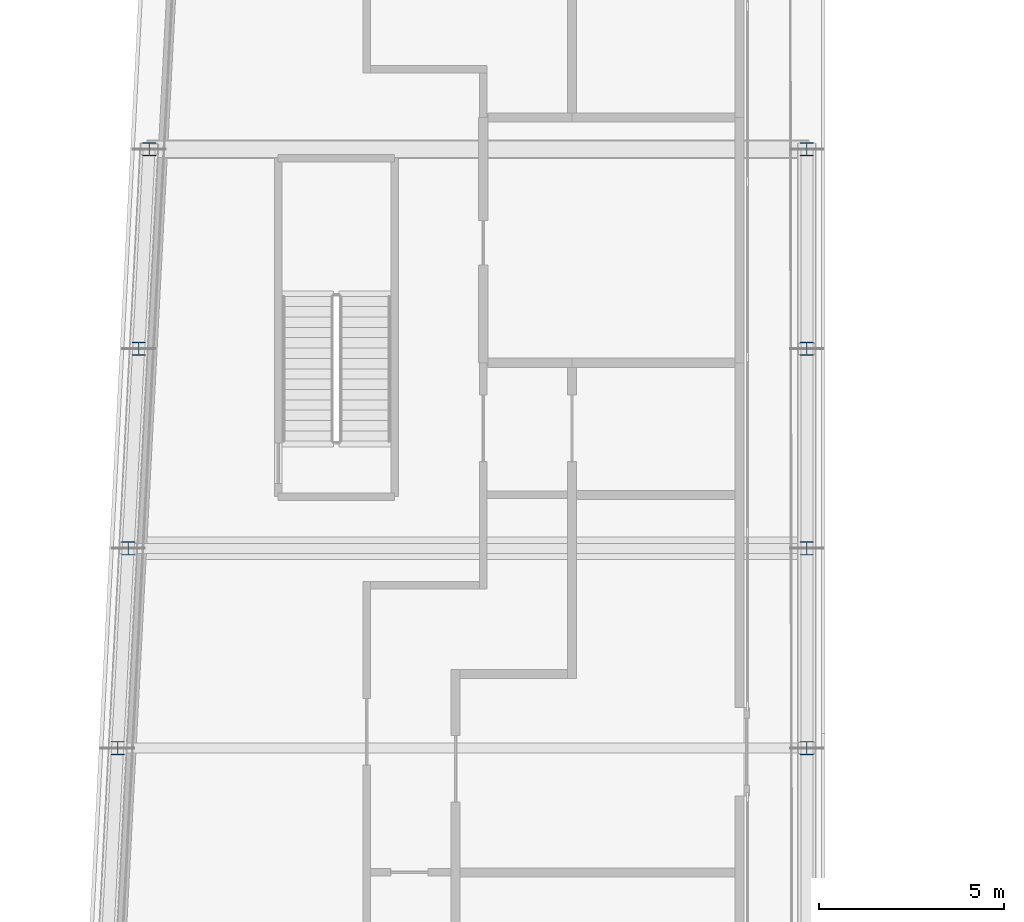
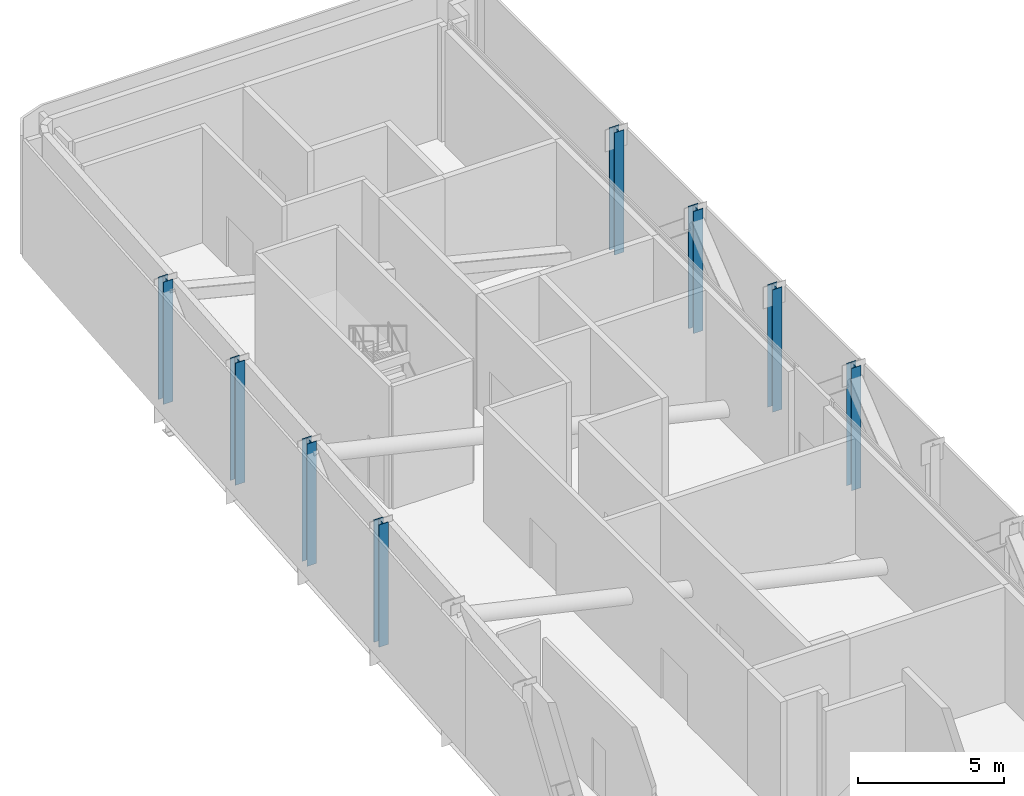
# One storey, part 3 of 18: 8 columns.
"""IFC4 building model written with IfcOpenShell, lengths in metres."""

from ifc_helpers import new_model, si_unit, direction, frame, origin, origin_2d, place, context, subcontext, project, spatial, i_section, extrude, material, material_profile, profile_set, type_object, element, save


model = new_model("IFC4")

# Units and contexts
model_context = context("Model", 3, precision=1e-05, world=origin(), true_north=direction((0.0, 1.0)))
body_context = subcontext(model_context, "Body", "Model", "MODEL_VIEW")
ifc_project = project(units=[si_unit("LENGTHUNIT", "METRE"), si_unit("AREAUNIT", "SQUARE_METRE"), si_unit("VOLUMEUNIT", "CUBIC_METRE"), si_unit("PLANEANGLEUNIT", "RADIAN"), si_unit("MASSUNIT", "GRAM", prefix="KILO")], contexts=[model_context])

# Site, building, storey
site_placement = place(None, origin())
site = spatial("IfcSite", under=ifc_project, at=site_placement, CompositionType="ELEMENT")
building_placement = place(site_placement, origin())
building = spatial("IfcBuilding", under=site, at=building_placement, Name="Kheshtan School and Residences Tower", CompositionType="ELEMENT")
storey_placement = place(building_placement, frame((0.0, 0.0, 333.199951171875)))
storey = spatial("IfcBuildingStorey", under=building, at=storey_placement, Name="L78", CompositionType="ELEMENT", Elevation=333.199951171875)

# Columns
ifc_material = material(Name="Steel ASTM A992 Grade 50", Category="steel")
ifc_material_profile = material_profile(ifc_material, i_section(OverallWidth=0.37109375, OverallDepth=0.364013671875, WebThickness=0.01318359375, FlangeThickness=0.021728515625, FilletRadius=0.010986328125, at=origin_2d()), Name="W360x162")
ifc_profile_set = profile_set([ifc_material_profile], Name="Steel ASTM A992 Grade 50")
column_type = type_object("IfcColumnType", Name="Column C6 W360x162 ASTM A992 Grade 50", PredefinedType="COLUMN", material=ifc_profile_set)
for number, where, z_axis, x_axis, name in (
    (1, (28.9580078125, 72.60009765625, 0.0), (0.0, 0.0, 1.0), (1.0, 0.0, 0.0), "Column C086"),
    (2, (47.60009765625, 72.60009765625, 0.0), (0.0, 0.0, 1.0), (1.0, 0.0, 0.0), "Column C087"),
    (3, (29.242919921875, 78.0, 0.0), (0.0, 0.0, 1.0), (1.0, 0.0, 0.0), "Column C088"),
    (4, (47.60009765625, 78.0, 0.0), (0.0, 0.0, 1.0), (1.0, 0.0, 0.0), "Column C089"),
    (5, (29.527099609375, 83.39990234375, 0.0), (0.0, 0.0, 1.0), (1.0, 0.0, 0.0), "Column C090"),
    (6, (47.60009765625, 83.39990234375, 0.0), (0.0, 0.0, 1.0), (1.0, 0.0, 0.0), "Column C091"),
    (7, (29.81103515625, 88.800048828125, 0.0), (0.0, 0.0, 1.0), (1.0, 0.0, 0.0), "Column C098"),
    (8, (47.60009765625, 88.800048828125, 0.0), (0.0, 0.0, 1.0), (1.0, 0.0, 0.0), "Column C099"),
):
    element("IfcColumn", number, at=place(storey_placement, frame(where, z_axis=z_axis, x_axis=x_axis)), inside=storey, type_object=column_type, Name=name, PredefinedType="COLUMN", context=body_context, shape_type="SweptSolid", body=[
        extrude(i_section(OverallWidth=0.37109375, OverallDepth=0.364013671875, WebThickness=0.01318359375, FlangeThickness=0.021728515625, FilletRadius=0.010986328125, at=origin_2d()), origin(), (0.0, 0.0, 1.0), 5.10009765625),
    ])

save(model, "model.ifc")
